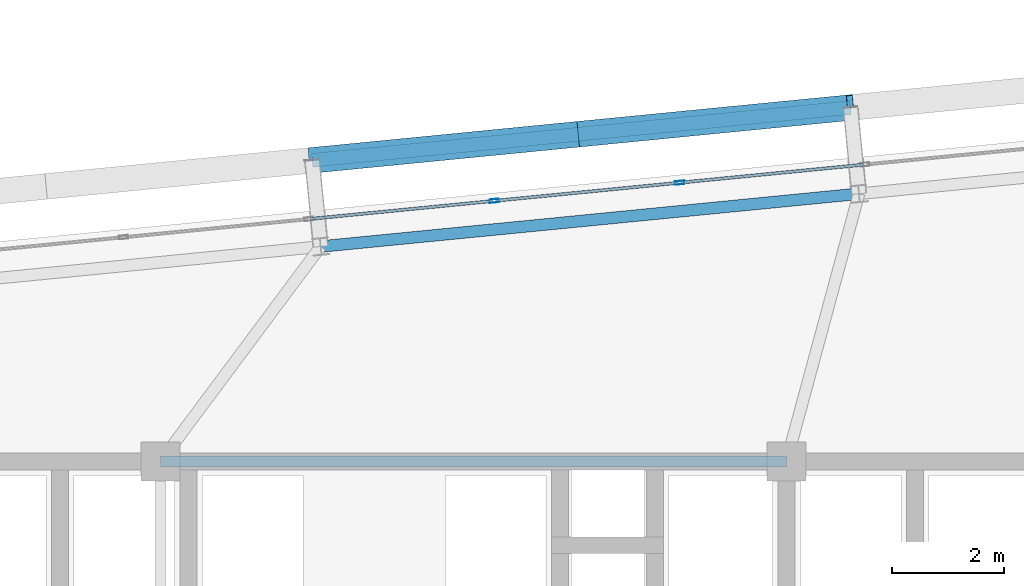
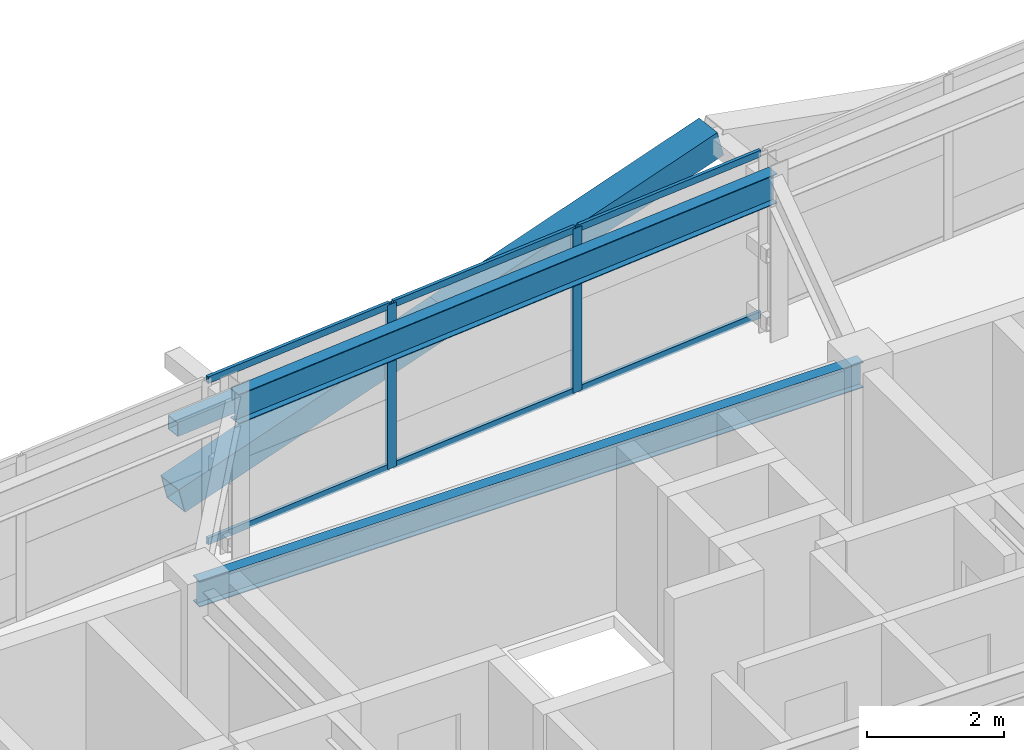
# One storey, part 30 of 53: 11 members, 2 beams, 1 element without a shape of its own.
"""IFC4 building model written with IfcOpenShell, lengths in metres."""

from ifc_helpers import new_model, si_unit, direction, frame, origin, origin_2d, place, context, subcontext, project, spatial, hollow_rectangle, i_section, extrude, source, transform, mapped, material, layer, layer_set, material_profile, profile_set, type_object, element, aggregate, save


model = new_model("IFC4")

# Units and contexts
model_context = context("Model", 3, precision=1e-05, world=origin(), true_north=direction((0.0, 1.0)))
body_context = subcontext(model_context, "Body", "Model", "MODEL_VIEW")
ifc_project = project(units=[si_unit("LENGTHUNIT", "METRE"), si_unit("AREAUNIT", "SQUARE_METRE"), si_unit("VOLUMEUNIT", "CUBIC_METRE"), si_unit("PLANEANGLEUNIT", "RADIAN"), si_unit("MASSUNIT", "GRAM", prefix="KILO")], contexts=[model_context])

# Site, building, storey
site_placement = place(None, origin())
site = spatial("IfcSite", under=ifc_project, at=site_placement, CompositionType="ELEMENT")
building_placement = place(site_placement, origin())
building = spatial("IfcBuilding", under=site, at=building_placement, Name="Taldren Reach Tower", CompositionType="ELEMENT")
storey_placement = place(building_placement, frame((0.0, 0.0, 80.85009765625)))
storey = spatial("IfcBuildingStorey", under=building, at=storey_placement, Name="L24", CompositionType="ELEMENT", Elevation=80.85009765625)

# Beams
ifc_material_1 = material(Name="Steel Gr 350 (350PLUS)", Category="steel")
ifc_material_profile_1 = material_profile(ifc_material_1, i_section(OverallWidth=0.19091796875, OverallDepth=0.4599609375, WebThickness=0.010009765625, FlangeThickness=0.01611328125, at=origin_2d()), Name="460UB82.1")
ifc_profile_set_1 = profile_set([ifc_material_profile_1], Name="Steel Gr 350 (350PLUS)")
beam_type_1 = type_object("IfcBeamType", Name="BM-UB460A", PredefinedType="BEAM", material=ifc_profile_set_1)
shared_shape_1 = source(origin(), body_context, "Body", "SweptSolid", [
    extrude(i_section(OverallWidth=0.19091796875, OverallDepth=0.4599609375, WebThickness=0.010009765625, FlangeThickness=0.01611328125, at=origin_2d()), origin(), (0.0, 0.0, 1.0), 11.199951171875),
])
beam_1_placement = place(storey_placement, frame((28.0, 32.0, 2.699951171875), z_axis=(1.0, 0.0, 0.0), x_axis=(0.0, 1.0, 0.0)))
element("IfcBeam", 1, at=beam_1_placement, inside=storey, type_object=beam_type_1, Name="Core-spine girder L24-SP05", PredefinedType="BEAM", context=body_context, shape_type="MappedRepresentation", body=[
    mapped(shared_shape_1, transform((0.0, 0.0, 0.0), scale=1.0)),
])
ifc_material_profile_2 = material_profile(ifc_material_1, i_section(OverallWidth=0.208984375, OverallDepth=0.528076171875, WebThickness=0.009521484375, FlangeThickness=0.01318359375, at=origin_2d()), Name="530UB82.0")
ifc_profile_set_2 = profile_set([ifc_material_profile_2], Name="Steel Gr 350 (350PLUS)")
beam_type_2 = type_object("IfcBeamType", Name="SP-UB530B", PredefinedType="SPANDREL", material=ifc_profile_set_2)
shared_shape_2 = source(origin(), body_context, "Body", "SweptSolid", [
    extrude(i_section(OverallWidth=0.208984375, OverallDepth=0.528076171875, WebThickness=0.009521484375, FlangeThickness=0.01318359375, at=origin_2d()), origin(), (0.0, 0.0, 1.0), 9.679931640625),
])
beam_2_placement = place(storey_placement, frame((40.498291015625, 36.790771484375, 2.666015625), z_axis=(-0.995227612658, -0.097580730699, 0.0), x_axis=(0.097580730699, -0.995227612658, 0.0)))
element("IfcBeam", 2, at=beam_2_placement, inside=storey, type_object=beam_type_2, Name="Perimeter spandrel B2 N4-N3 L24", PredefinedType="SPANDREL", context=body_context, shape_type="MappedRepresentation", body=[
    mapped(shared_shape_2, transform((0.0, 0.0, 0.0), scale=1.0)),
])

# Members
ifc_material_2 = material(Name="Steel Gr 450 (C450L0)", Category="steel")
ifc_material_profile_3 = material_profile(ifc_material_2, hollow_rectangle(XDim=0.4599609375, YDim=0.4599609375, WallThickness=0.01611328125, at=origin_2d()), Name="460x460x16.0SHS")
ifc_profile_set_3 = profile_set([ifc_material_profile_3], Name="Steel Gr 450 (C450L0)")
member_type_1 = type_object("IfcMemberType", Name="MB-EXO457", PredefinedType="BRACE", material=ifc_profile_set_3)
shared_shape_3 = source(origin(), body_context, "Body", "SweptSolid", [
    extrude(hollow_rectangle(XDim=0.4599609375, YDim=0.4599609375, WallThickness=0.01611328125, at=origin_2d()), origin(), (0.0, 0.0, 1.0), 4.990234375),
])
for number, where, z_axis, x_axis, name in (
    (3, (30.713134765625, 37.388671875, 0.219970703125), (0.965282554799, 0.094669120301, 0.243448859234), (-0.097605711627, 0.995225162995, 0.0), "Exoskeleton Diagrid Brace B2-N3 L24"),
    (4, (35.530029296875, 37.861083984375, 1.434814453125), (0.965275526283, 0.094619506732, 0.243496010862), (-0.097555749586, 0.995230061706, 0.0), "Exoskeleton Diagrid Brace B2-N3 L24"),
):
    element("IfcMember", number, at=place(storey_placement, frame(where, z_axis=z_axis, x_axis=x_axis)), inside=storey, type_object=member_type_1, Name=name, PredefinedType="BRACE", context=body_context, shape_type="MappedRepresentation", body=[
        mapped(shared_shape_3, transform((0.0, 0.0, 0.0), scale=1.0)),
    ])
ifc_material_3 = material(Name="Steel Gr 350 (C350L0)", Category="steel")
ifc_material_profile_4 = material_profile(ifc_material_3, hollow_rectangle(XDim=0.25, YDim=0.25, WallThickness=0.010009765625, at=origin_2d()), Name="250x250x10.0SHS")
ifc_profile_set_4 = profile_set([ifc_material_profile_4], Name="Steel Gr 350 (C350L0)")
member_type_2 = type_object("IfcMemberType", Name="MB-POST250", PredefinedType="POST", material=ifc_profile_set_4)
shared_shape_4 = source(origin(), body_context, "Body", "SweptSolid", [
    extrude(hollow_rectangle(XDim=0.25, YDim=0.25, WallThickness=0.010009765625, at=origin_2d()), origin(), (0.0, 0.0, 1.0), 9.679931640625),
])
member_1_placement = place(storey_placement, frame((30.713134765625, 37.388671875, 1.434814453125), z_axis=(0.995227612658, 0.097580730699, 0.0), x_axis=(-0.097580730699, 0.995227612658, 0.0)))
element("IfcMember", 5, at=member_1_placement, inside=storey, type_object=member_type_2, Name="Exoskeleton mid-height ring chord B2-N3 L24", PredefinedType="POST", context=body_context, shape_type="MappedRepresentation", body=[
    mapped(shared_shape_4, transform((0.0, 0.0, 0.0), scale=1.0)),
])

# Curtain wall, members
ifc_material_4 = material(Name="Aluminium and Low-E Glass Unitised System", Category="aluminium")
ifc_layer = layer(ifc_material_4, 0.159912109375)
ifc_layer_set = layer_set([ifc_layer], Name="Aluminium and Low-E Glass Unitised System")
curtain_wall_type = type_object("IfcCurtainWallType", Name="CW-SYS-3", PredefinedType="NOTDEFINED", material=ifc_layer_set)
curtain_wall_placement = place(storey_placement, origin())
curtain_wall = element("IfcCurtainWall", 6, at=curtain_wall_placement, inside=storey, type_object=curtain_wall_type, Name="Unitised curtain wall CW-L24-N", PredefinedType="NOTDEFINED")
ifc_material_5 = material(Name="Anodised Aluminium 6063-T6", Category="aluminium")
ifc_material_profile_5 = material_profile(ifc_material_5, hollow_rectangle(XDim=0.06494140625, YDim=0.1650390625, WallThickness=0.00390625, at=origin_2d()), Name="ALU-165x65x4RHS")
ifc_profile_set_5 = profile_set([ifc_material_profile_5], Name="Anodised Aluminium 6063-T6")
member_type_3 = type_object("IfcMemberType", Name="CW-MUL-165", PredefinedType="MULLION", material=ifc_profile_set_5)
shared_shape_5 = source(origin(), body_context, "Body", "SweptSolid", [
    extrude(hollow_rectangle(XDim=0.06494140625, YDim=0.1650390625, WallThickness=0.00390625, at=origin_2d()), origin(), (0.0, 0.0, 1.0), 2.929931640625),
])
member_2_placement = place(storey_placement, frame((37.290283203125, 36.988525390625, 0.0), z_axis=(0.0, 0.0, 1.0), x_axis=(0.097582999046, -0.995227390247, 0.0)))
member_2 = element("IfcMember", 7, at=member_2_placement, type_object=member_type_3, Name="CW-3 mullion 8", PredefinedType="MULLION", context=body_context, shape_type="MappedRepresentation", body=[
    mapped(shared_shape_5, transform((0.0, 0.0, 0.0), scale=1.0)),
])
member_3_placement = place(storey_placement, frame((33.972900390625, 36.663330078125, 0.0), z_axis=(0.0, 0.0, 1.0), x_axis=(0.097582999046, -0.995227390247, 0.0)))
member_3 = element("IfcMember", 8, at=member_3_placement, type_object=member_type_3, Name="CW-3 mullion 9", PredefinedType="MULLION", context=body_context, shape_type="MappedRepresentation", body=[
    mapped(shared_shape_5, transform((0.0, 0.0, 0.0), scale=1.0)),
])
ifc_material_profile_6 = material_profile(ifc_material_5, hollow_rectangle(XDim=0.054931640625, YDim=0.1201171875, WallThickness=0.0029296875, at=origin_2d()), Name="ALU-120x55x3RHS")
ifc_profile_set_6 = profile_set([ifc_material_profile_6], Name="Anodised Aluminium 6063-T6")
member_type_4 = type_object("IfcMemberType", Name="CW-TRN-135", PredefinedType="USERDEFINED", material=ifc_profile_set_6)
shared_shape_6 = source(origin(), body_context, "Body", "SweptSolid", [
    extrude(hollow_rectangle(XDim=0.054931640625, YDim=0.1201171875, WallThickness=0.0029296875, at=origin_2d()), origin(), (0.0, 0.0, 1.0), 3.268310546875),
])
member_4_placement = place(storey_placement, frame((37.2578125, 36.9853515625, 0.02734375), z_axis=(-0.99522980512, -0.097558367146, 0.0), x_axis=(0.097558367146, -0.99522980512, 0.0)))
member_4 = element("IfcMember", 9, at=member_4_placement, type_object=member_type_4, Name="CW-3 transom 8.1", ObjectType="TRANSOM", PredefinedType="USERDEFINED", context=body_context, shape_type="MappedRepresentation", body=[
    mapped(shared_shape_6, transform((0.0, 0.0, 0.0), scale=1.0)),
])
member_5_placement = place(storey_placement, frame((37.2578125, 36.9853515625, 2.90234375), z_axis=(-0.99522980512, -0.097558367146, 0.0), x_axis=(0.097558367146, -0.99522980512, 0.0)))
member_5 = element("IfcMember", 10, at=member_5_placement, type_object=member_type_4, Name="CW-3 transom 8.2", ObjectType="TRANSOM", PredefinedType="USERDEFINED", context=body_context, shape_type="MappedRepresentation", body=[
    mapped(shared_shape_6, transform((0.0, 0.0, 0.0), scale=1.0)),
])
member_6_placement = place(storey_placement, frame((33.9404296875, 36.66015625, 0.02734375), z_axis=(-0.99522980512, -0.097558367146, 0.0), x_axis=(0.097558367146, -0.99522980512, 0.0)))
member_6 = element("IfcMember", 11, at=member_6_placement, type_object=member_type_4, Name="CW-3 transom 9.1", ObjectType="TRANSOM", PredefinedType="USERDEFINED", context=body_context, shape_type="MappedRepresentation", body=[
    mapped(shared_shape_6, transform((0.0, 0.0, 0.0), scale=1.0)),
])
member_7_placement = place(storey_placement, frame((33.9404296875, 36.66015625, 2.90234375), z_axis=(-0.99522980512, -0.097558367146, 0.0), x_axis=(0.097558367146, -0.99522980512, 0.0)))
member_7 = element("IfcMember", 12, at=member_7_placement, type_object=member_type_4, Name="CW-3 transom 9.2", ObjectType="TRANSOM", PredefinedType="USERDEFINED", context=body_context, shape_type="MappedRepresentation", body=[
    mapped(shared_shape_6, transform((0.0, 0.0, 0.0), scale=1.0)),
])
shared_shape_7 = source(origin(), body_context, "Body", "SweptSolid", [
    extrude(hollow_rectangle(XDim=0.054931640625, YDim=0.1201171875, WallThickness=0.0029296875, at=origin_2d()), origin(), (0.0, 0.0, 1.0), 3.2685546875),
])
member_8_placement = place(storey_placement, frame((40.575439453125, 37.310791015625, 0.02734375), z_axis=(-0.995223261527, -0.09762509778, 0.0), x_axis=(0.09762509778, -0.995223261527, 0.0)))
member_8 = element("IfcMember", 13, at=member_8_placement, type_object=member_type_4, Name="CW-3 transom 7.1", ObjectType="TRANSOM", PredefinedType="USERDEFINED", context=body_context, shape_type="MappedRepresentation", body=[
    mapped(shared_shape_7, transform((0.0, 0.0, 0.0), scale=1.0)),
])
member_9_placement = place(storey_placement, frame((40.575439453125, 37.310791015625, 2.90234375), z_axis=(-0.995223261527, -0.09762509778, 0.0), x_axis=(0.09762509778, -0.995223261527, 0.0)))
member_9 = element("IfcMember", 14, at=member_9_placement, type_object=member_type_4, Name="CW-3 transom 7.2", ObjectType="TRANSOM", PredefinedType="USERDEFINED", context=body_context, shape_type="MappedRepresentation", body=[
    mapped(shared_shape_7, transform((0.0, 0.0, 0.0), scale=1.0)),
])
aggregate(curtain_wall, [member_2, member_3, member_8, member_9, member_4, member_5, member_6, member_7])

save(model, "model.ifc")
